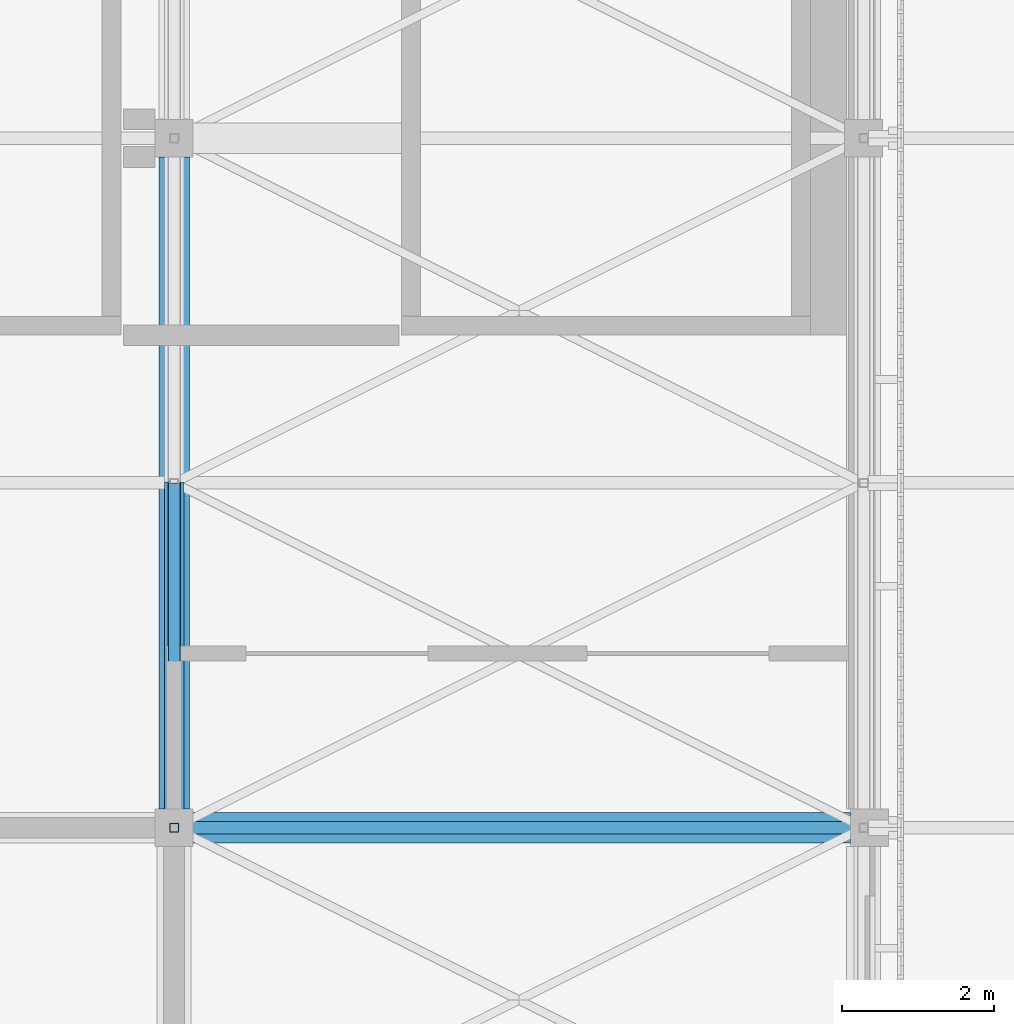
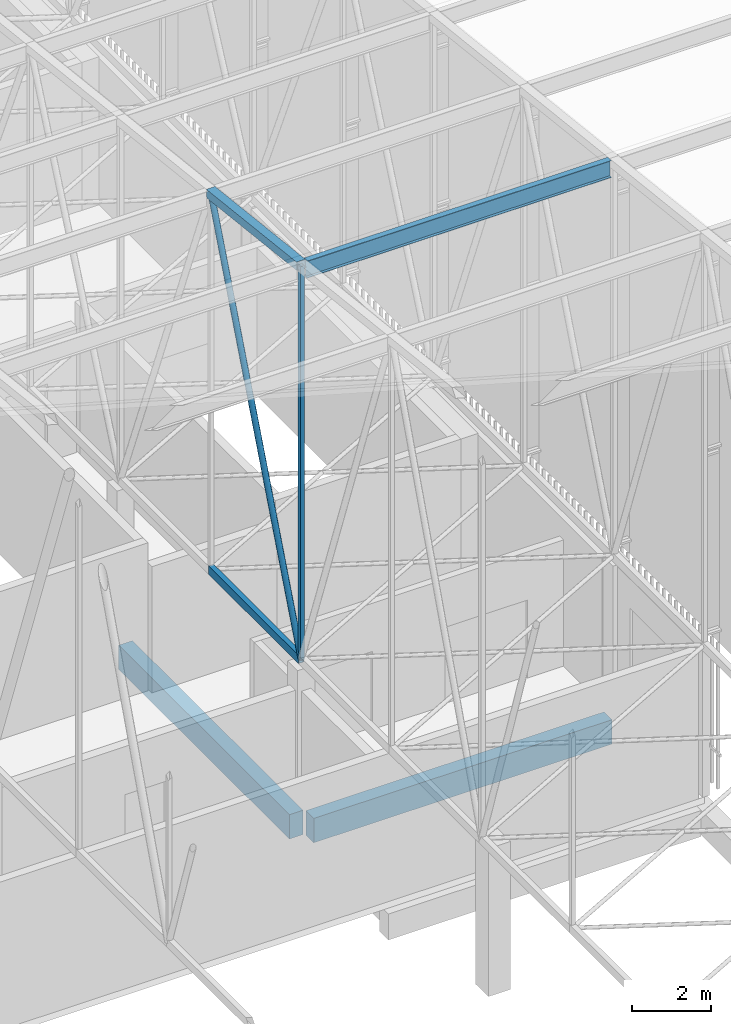
# One storey, part 384 of 500: 5 members, 2 beams.
"""IFC4 building model written with IfcOpenShell, lengths in metres."""

from ifc_helpers import new_model, si_unit, direction, frame, origin, origin_2d, place, context, subcontext, project, spatial, rectangle, hollow_rectangle, hollow_circle, i_section, extrude, material, material_profile, profile_set, type_object, element, save


model = new_model("IFC4")

# Units and contexts
model_context = context("Model", 3, precision=1e-05, world=origin(), true_north=direction((0.0, 1.0)))
body_context = subcontext(model_context, "Body", "Model", "MODEL_VIEW")
ifc_project = project(units=[si_unit("LENGTHUNIT", "METRE"), si_unit("AREAUNIT", "SQUARE_METRE"), si_unit("VOLUMEUNIT", "CUBIC_METRE"), si_unit("PLANEANGLEUNIT", "RADIAN"), si_unit("MASSUNIT", "GRAM", prefix="KILO")], contexts=[model_context])

# Site, building, storey
site_placement = place(None, origin())
site = spatial("IfcSite", under=ifc_project, at=site_placement, CompositionType="ELEMENT")
building_placement = place(site_placement, origin())
building = spatial("IfcBuilding", under=site, at=building_placement, Name="Shirokan Park Arena", CompositionType="ELEMENT")
storey_placement = place(building_placement, frame((0.0, 0.0, 29.1201171875)))
storey = spatial("IfcBuildingStorey", under=building, at=storey_placement, Name="L06", CompositionType="ELEMENT", Elevation=29.1201171875)

# Members
ifc_material_1 = material(Name="Steel ASTM A500 Grade C", Category="steel")
ifc_material_profile_1 = material_profile(ifc_material_1, hollow_rectangle(XDim=0.152099609375, YDim=0.25390625, WallThickness=0.009521484375, at=origin_2d()), Name="HSS254X152.4X9.5")
ifc_profile_set_1 = profile_set([ifc_material_profile_1], Name="Steel ASTM A500 Grade C")
member_type_1 = type_object("IfcMemberType", Name="Bottom chord HSS254X152.4X9.5", PredefinedType="CHORD", material=ifc_profile_set_1)
member_1_placement = place(storey_placement, frame((136.5, 72.800048828125, 4.677001953125), z_axis=(0.0, 1.0, 0.0), x_axis=(-1.0, 0.0, 0.0)))
element("IfcMember", 1, at=member_1_placement, inside=storey, type_object=member_type_1, Name="Truss T16 bottom chord 19", PredefinedType="CHORD", context=body_context, shape_type="SweptSolid", body=[
    extrude(hollow_rectangle(XDim=0.152099609375, YDim=0.25390625, WallThickness=0.009521484375, at=origin_2d()), origin(), (0.0, 0.0, 1.0), 4.550048828125),
])
ifc_material_2 = material(Name="Steel ASTM A992", Category="steel")
ifc_material_profile_2 = material_profile(ifc_material_2, i_section(OverallWidth=0.166015625, OverallDepth=0.528076171875, WebThickness=0.009765625, FlangeThickness=0.013671875, at=origin_2d()), Name="W530X74")
ifc_profile_set_2 = profile_set([ifc_material_profile_2], Name="Steel ASTM A992")
member_type_2 = type_object("IfcMemberType", Name="Purlin W530X74", PredefinedType="PURLIN", material=ifc_profile_set_2)
member_2_placement = place(storey_placement, frame((136.626953125, 72.800048828125, 16.64599609375), z_axis=(1.0, 0.0, 0.0), x_axis=(0.0, 1.0, 0.0)))
element("IfcMember", 2, at=member_2_placement, inside=storey, type_object=member_type_2, Name="Purlin 19 bay 16", PredefinedType="PURLIN", context=body_context, shape_type="SweptSolid", body=[
    extrude(i_section(OverallWidth=0.166015625, OverallDepth=0.528076171875, WebThickness=0.009765625, FlangeThickness=0.013671875, at=origin_2d()), origin(), (0.0, 0.0, 1.0), 8.845947265625),
])

# Beams
ifc_material_3 = material(Name="Concrete C35", Category="concrete")
ifc_material_profile_3 = material_profile(ifc_material_3, rectangle(XDim=0.39990234375, YDim=0.75, at=origin_2d()), Name="400x750")
ifc_profile_set_3 = profile_set([ifc_material_profile_3], Name="Concrete C35")
beam_type = type_object("IfcBeamType", Name="RC girder 400x750", PredefinedType="BEAM", material=ifc_profile_set_3)
beam_1_placement = place(storey_placement, frame((136.75, 72.800048828125, -0.5751953125), z_axis=(1.0, 0.0, 0.0), x_axis=(0.0, 1.0, 0.0)))
element("IfcBeam", 3, at=beam_1_placement, inside=storey, type_object=beam_type, Name="Girder 16J-17J L06", PredefinedType="BEAM", context=body_context, shape_type="SweptSolid", body=[
    extrude(rectangle(XDim=0.39990234375, YDim=0.75, at=origin_2d()), origin(), (0.0, 0.0, 1.0), 8.6748046875),
])
beam_2_placement = place(storey_placement, frame((136.5, 73.050048828125, -0.5751953125), z_axis=(0.0, 1.0, 0.0), x_axis=(-1.0, 0.0, 0.0)))
element("IfcBeam", 4, at=beam_2_placement, inside=storey, type_object=beam_type, Name="Girder 16J-16K L06", PredefinedType="BEAM", context=body_context, shape_type="SweptSolid", body=[
    extrude(rectangle(XDim=0.39990234375, YDim=0.75, at=origin_2d()), origin(), (0.0, 0.0, 1.0), 8.599853515625),
])

# Members
ifc_material_profile_4 = material_profile(ifc_material_1, hollow_rectangle(XDim=0.25390625, YDim=0.25390625, WallThickness=0.009521484375, at=origin_2d()), Name="HSS254X254X9.5")
ifc_profile_set_4 = profile_set([ifc_material_profile_4], Name="Steel ASTM A500 Grade C")
member_type_3 = type_object("IfcMemberType", Name="Top chord HSS254X254X9.5", PredefinedType="CHORD", material=ifc_profile_set_4)
member_3_placement = place(storey_placement, frame((136.5, 72.800048828125, 16.782958984375), z_axis=(0.0, 0.993532328996, -0.113549598152), x_axis=(-1.0, 0.0, 0.0)))
element("IfcMember", 5, at=member_3_placement, inside=storey, type_object=member_type_3, Name="Truss T16 top chord 19", PredefinedType="CHORD", context=body_context, shape_type="SweptSolid", body=[
    extrude(hollow_rectangle(XDim=0.25390625, YDim=0.25390625, WallThickness=0.009521484375, at=origin_2d()), origin(), (0.0, 0.0, 1.0), 4.57958984375),
])
ifc_material_profile_5 = material_profile(ifc_material_1, hollow_circle(Radius=0.083984375, WallThickness=0.009521484375, at=origin_2d()), Name="HSS168.3X9.5")
ifc_profile_set_5 = profile_set([ifc_material_profile_5], Name="Steel ASTM A500 Grade C")
member_type_4 = type_object("IfcMemberType", Name="Truss diagonal HSS168.3X9.5", PredefinedType="BRACE", material=ifc_profile_set_5)
member_4_placement = place(storey_placement, frame((136.5, 72.800048828125, 4.677001953125), z_axis=(0.0, 0.365543139237, 0.930794399079), x_axis=(-1.0, 0.0, 0.0)))
element("IfcMember", 6, at=member_4_placement, inside=storey, type_object=member_type_4, Name="Truss T16 diagonal 19", PredefinedType="BRACE", context=body_context, shape_type="SweptSolid", body=[
    extrude(hollow_circle(Radius=0.083984375, WallThickness=0.009521484375, at=origin_2d()), origin(), (0.0, 0.0, 1.0), 12.447265625),
])
ifc_material_profile_6 = material_profile(ifc_material_1, hollow_rectangle(XDim=0.126953125, YDim=0.126953125, WallThickness=0.0126953125, at=origin_2d()), Name="HSS127X127X12.7")
ifc_profile_set_6 = profile_set([ifc_material_profile_6], Name="Steel ASTM A500 Grade C")
member_type_5 = type_object("IfcMemberType", Name="Truss post HSS127X127X12.7", PredefinedType="POST", material=ifc_profile_set_6)
member_5_placement = place(storey_placement, frame((136.5, 72.800048828125, 4.677001953125), z_axis=(0.0, 0.0, 1.0), x_axis=(1.0, 0.0, 0.0)))
element("IfcMember", 7, at=member_5_placement, inside=storey, type_object=member_type_5, Name="Truss T16 post 19", PredefinedType="POST", context=body_context, shape_type="SweptSolid", body=[
    extrude(hollow_rectangle(XDim=0.126953125, YDim=0.126953125, WallThickness=0.0126953125, at=origin_2d()), origin(), (0.0, 0.0, 1.0), 12.10595703125),
])

save(model, "model.ifc")
